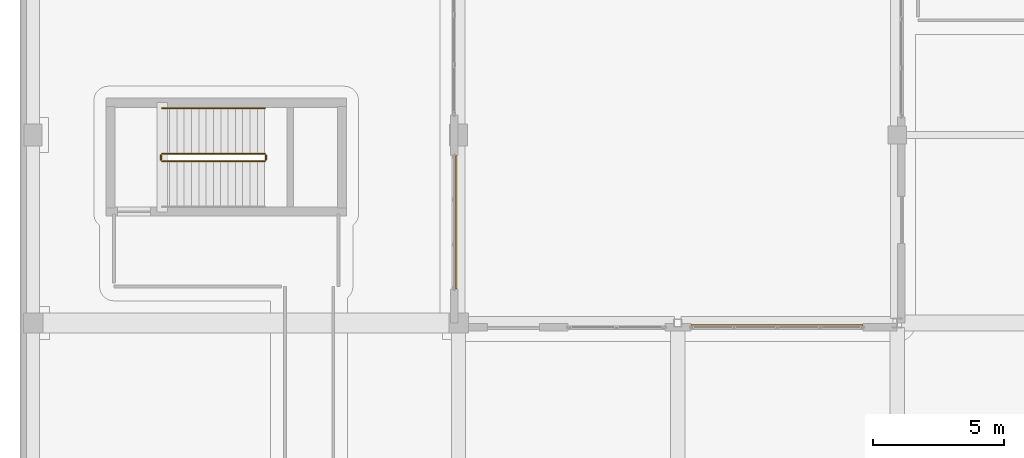
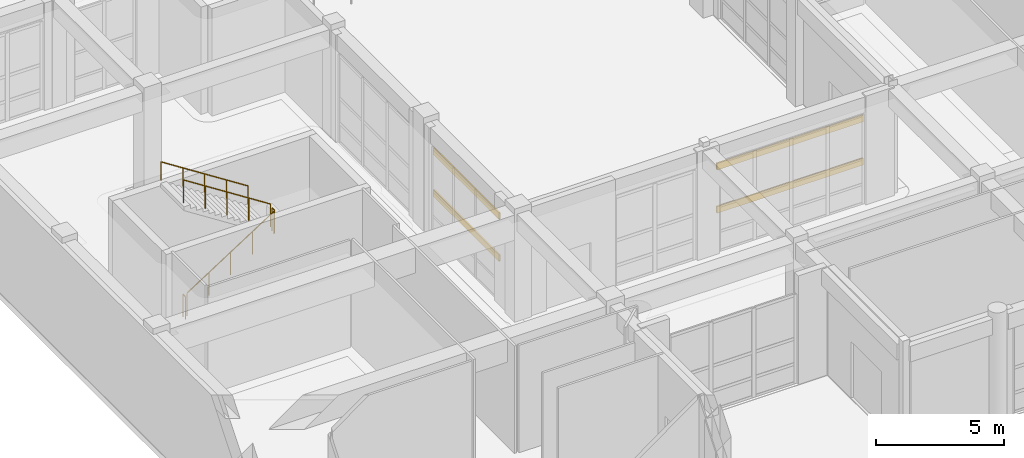
# One storey, part 142 of 148: 5 railings, 4 shading devices.
"""IFC4 building model written with IfcOpenShell, lengths in metres."""

from ifc_helpers import new_model, si_unit, direction, frame, origin, origin_2d, place, context, subcontext, project, spatial, hollow_rectangle, circle, extrude, material, material_profile, profile_set, type_object, element, save


model = new_model("IFC4")

# Units and contexts
model_context = context("Model", 3, precision=1e-05, world=origin(), true_north=direction((0.0, 1.0)))
body_context = subcontext(model_context, "Body", "Model", "MODEL_VIEW")
ifc_project = project(units=[si_unit("LENGTHUNIT", "METRE"), si_unit("AREAUNIT", "SQUARE_METRE"), si_unit("VOLUMEUNIT", "CUBIC_METRE"), si_unit("PLANEANGLEUNIT", "RADIAN"), si_unit("MASSUNIT", "GRAM", prefix="KILO")], contexts=[model_context])

# Site, building, storey
site_placement = place(None, origin())
site = spatial("IfcSite", under=ifc_project, at=site_placement, CompositionType="ELEMENT")
building_placement = place(site_placement, origin())
building = spatial("IfcBuilding", under=site, at=building_placement, Name="Quendrovan Civic Courthouse", CompositionType="ELEMENT")
storey_placement = place(building_placement, origin())
storey = spatial("IfcBuildingStorey", under=building, at=storey_placement, Name="L01", CompositionType="ELEMENT", Elevation=0.0)

# Railings
ifc_material_1 = material(Name="Painted galvanized steel", Category="steel")
railing_type_1 = type_object("IfcRailingType", Name="RL-STR-GUARD1100", PredefinedType="GUARDRAIL", material=ifc_material_1)
railing_1_placement = place(storey_placement, frame((5.449951171875, 86.60009765625, 0.179931640625)))
element("IfcRailing", 1, at=railing_1_placement, inside=storey, type_object=railing_type_1, Name="L01 ST8 stair guard 1", PredefinedType="GUARDRAIL", context=body_context, shape_type="SweptSolid", body=[
    extrude(circle(Radius=0.02392578125, at=origin_2d()), frame((0.0, 0.0, 1.076171875), z_axis=(0.841186985886, 0.0, 0.540744352514), x_axis=(0.0, 1.0, 0.0)), (0.0, 0.0, 1.0), 4.660400390625),
    extrude(circle(Radius=0.02099609375, at=origin_2d()), origin(), (0.0, 0.0, 1.0), 1.052001953125),
    extrude(circle(Radius=0.02099609375, at=origin_2d()), frame((0.97998046875, 0.0, 0.6298828125)), (0.0, 0.0, 1.0), 1.052001953125),
    extrude(circle(Radius=0.02099609375, at=origin_2d()), frame((1.9599609375, 0.0, 1.260009765625)), (0.0, 0.0, 1.0), 1.052001953125),
    extrude(circle(Radius=0.02099609375, at=origin_2d()), frame((2.940185546875, 0.0, 1.89013671875)), (0.0, 0.0, 1.0), 1.052001953125),
    extrude(circle(Radius=0.02099609375, at=origin_2d()), frame((3.920166015625, 0.0, 2.52001953125)), (0.0, 0.0, 1.0), 1.052001953125),
])
railing_2_placement = place(storey_placement, frame((9.419921875, 86.64990234375, 2.699951171875)))
element("IfcRailing", 2, at=railing_2_placement, inside=storey, type_object=railing_type_1, Name="L01 ST8 stair guard 2", PredefinedType="GUARDRAIL", context=body_context, shape_type="SweptSolid", body=[
    extrude(circle(Radius=0.02392578125, at=origin_2d()), frame((0.0, 0.0, 1.076171875), z_axis=(0.0, 1.0, 0.0), x_axis=(-1.0, 0.0, 0.0)), (0.0, 0.0, 1.0), 0.18017578125),
    extrude(circle(Radius=0.02099609375, at=origin_2d()), origin(), (0.0, 0.0, 1.0), 1.052001953125),
    extrude(circle(Radius=0.02099609375, at=origin_2d()), frame((0.0, 0.18017578125, 0.0)), (0.0, 0.0, 1.0), 1.052001953125),
])
railing_3_placement = place(storey_placement, frame((9.3701171875, 86.8798828125, 2.8798828125)))
element("IfcRailing", 3, at=railing_3_placement, inside=storey, type_object=railing_type_1, Name="L01 ST8 stair guard 3", PredefinedType="GUARDRAIL", context=body_context, shape_type="SweptSolid", body=[
    extrude(circle(Radius=0.02392578125, at=origin_2d()), frame((0.0, 0.0, 1.076171875), z_axis=(-0.841186985886, 0.0, 0.540744352514), x_axis=(0.0, -1.0, 0.0)), (0.0, 0.0, 1.0), 4.660400390625),
    extrude(circle(Radius=0.02099609375, at=origin_2d()), origin(), (0.0, 0.0, 1.0), 1.052001953125),
    extrude(circle(Radius=0.02099609375, at=origin_2d()), frame((-0.97998046875, 0.0, 0.6298828125)), (0.0, 0.0, 1.0), 1.052001953125),
    extrude(circle(Radius=0.02099609375, at=origin_2d()), frame((-1.9599609375, 0.0, 1.260009765625)), (0.0, 0.0, 1.0), 1.052001953125),
    extrude(circle(Radius=0.02099609375, at=origin_2d()), frame((-2.940185546875, 0.0, 1.89013671875)), (0.0, 0.0, 1.0), 1.052001953125),
    extrude(circle(Radius=0.02099609375, at=origin_2d()), frame((-3.920166015625, 0.0, 2.52001953125)), (0.0, 0.0, 1.0), 1.052001953125),
])
railing_4_placement = place(storey_placement, frame((5.39990234375, 86.64990234375, 0.0)))
element("IfcRailing", 4, at=railing_4_placement, inside=storey, type_object=railing_type_1, Name="L01 ST8 stair guard 4", PredefinedType="GUARDRAIL", context=body_context, shape_type="SweptSolid", body=[
    extrude(circle(Radius=0.02392578125, at=origin_2d()), frame((0.0, 0.0, 1.076171875), z_axis=(0.0, 1.0, 0.0), x_axis=(-1.0, 0.0, 0.0)), (0.0, 0.0, 1.0), 0.18017578125),
    extrude(circle(Radius=0.02099609375, at=origin_2d()), origin(), (0.0, 0.0, 1.0), 1.052001953125),
    extrude(circle(Radius=0.02099609375, at=origin_2d()), frame((0.0, 0.18017578125, 0.0)), (0.0, 0.0, 1.0), 1.052001953125),
])
ifc_material_2 = material(Name="Bronze anodised aluminium", Category="aluminium")
railing_type_2 = type_object("IfcRailingType", Name="RL-STR-HAND900", PredefinedType="HANDRAIL", material=ifc_material_2)
railing_5_placement = place(storey_placement, frame((9.3701171875, 88.6298828125, 2.8798828125)))
element("IfcRailing", 5, at=railing_5_placement, inside=storey, type_object=railing_type_2, Name="L01 ST8 stair handrail 2", PredefinedType="HANDRAIL", context=body_context, shape_type="SweptSolid", body=[
    extrude(circle(Radius=0.02392578125, at=origin_2d()), frame((0.0, 0.0, 0.8759765625), z_axis=(-0.841186985886, 0.0, 0.540744352514), x_axis=(0.0, -1.0, 0.0)), (0.0, 0.0, 1.0), 4.660400390625),
    extrude(circle(Radius=0.02099609375, at=origin_2d()), origin(), (0.0, 0.0, 1.0), 0.851806640625),
    extrude(circle(Radius=0.02099609375, at=origin_2d()), frame((-0.97998046875, 0.0, 0.6298828125)), (0.0, 0.0, 1.0), 0.851806640625),
    extrude(circle(Radius=0.02099609375, at=origin_2d()), frame((-1.9599609375, 0.0, 1.260009765625)), (0.0, 0.0, 1.0), 0.851806640625),
    extrude(circle(Radius=0.02099609375, at=origin_2d()), frame((-2.940185546875, 0.0, 1.89013671875)), (0.0, 0.0, 1.0), 0.851806640625),
    extrude(circle(Radius=0.02099609375, at=origin_2d()), frame((-3.920166015625, 0.0, 2.52001953125)), (0.0, 0.0, 1.0), 0.851806640625),
])

# Shading devices
ifc_material_profile = material_profile(ifc_material_2, hollow_rectangle(XDim=0.06494140625, YDim=0.320068359375, WallThickness=0.0048828125, at=origin_2d()), Name="AL-LOUVRE-65x320")
ifc_profile_set = profile_set([ifc_material_profile], Name="Bronze anodised aluminium")
shading_device_type = type_object("IfcShadingDeviceType", Name="SHD-STORM-LOUVRE", PredefinedType="JALOUSIE", material=ifc_profile_set)
for number, where, z_axis, x_axis, name in (
    (6, (16.715087890625, 86.824951171875, 1.949951171875), (0.0, -1.0, 0.0), (1.0, 0.0, 0.0), "L01 Bronze Hurricane Storm Louvre SLV-019"),
    (7, (16.715087890625, 86.824951171875, 3.949951171875), (0.0, -1.0, 0.0), (1.0, 0.0, 0.0), "L01 Bronze Hurricane Storm Louvre SLV-020"),
):
    element("IfcShadingDevice", number, at=place(storey_placement, frame(where, z_axis=z_axis, x_axis=x_axis)), inside=storey, type_object=shading_device_type, Name=name, PredefinedType="JALOUSIE", context=body_context, shape_type="SweptSolid", body=[
        extrude(hollow_rectangle(XDim=0.06494140625, YDim=0.320068359375, WallThickness=0.0048828125, at=origin_2d()), origin(), (0.0, 0.0, 1.0), 5.125),
    ])
for number, where, z_axis, x_axis, name in (
    (8, (25.699951171875, 80.31494140625, 1.949951171875), (1.0, 0.0, 0.0), (0.0, 1.0, 0.0), "L01 Bronze Hurricane Storm Louvre SLV-021"),
    (9, (25.699951171875, 80.31494140625, 4.010009765625), (1.0, 0.0, 0.0), (0.0, 1.0, 0.0), "L01 Bronze Hurricane Storm Louvre SLV-022"),
):
    element("IfcShadingDevice", number, at=place(storey_placement, frame(where, z_axis=z_axis, x_axis=x_axis)), inside=storey, type_object=shading_device_type, Name=name, PredefinedType="JALOUSIE", context=body_context, shape_type="SweptSolid", body=[
        extrude(hollow_rectangle(XDim=0.06494140625, YDim=0.320068359375, WallThickness=0.0048828125, at=origin_2d()), origin(), (0.0, 0.0, 1.0), 6.60009765625),
    ])

save(model, "model.ifc")
